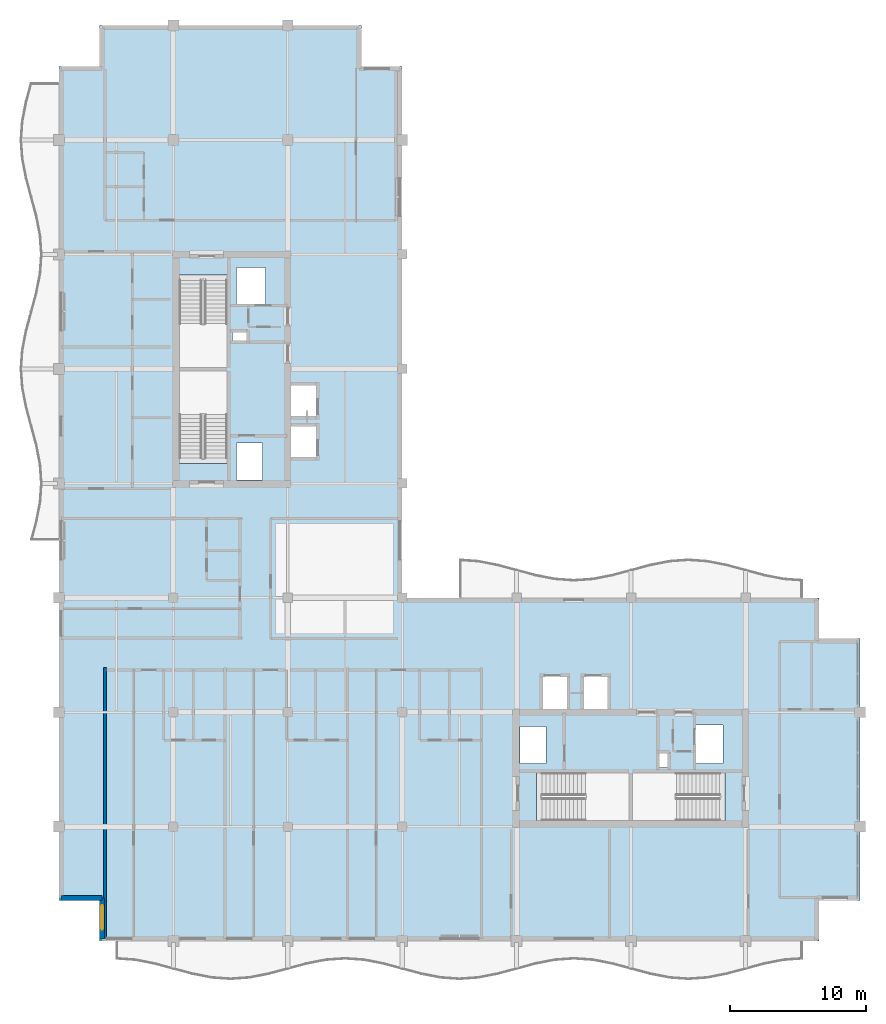
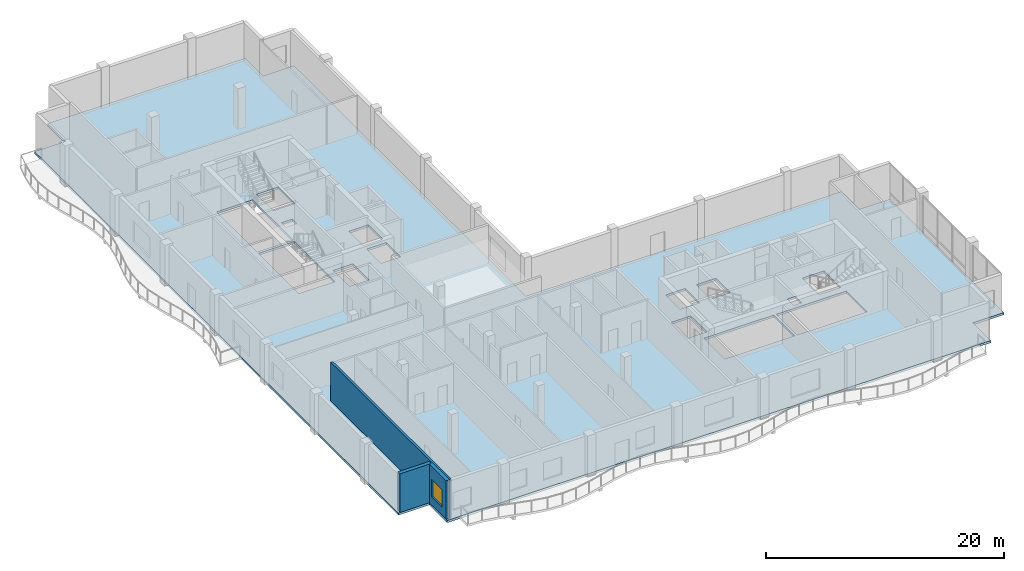
# One storey, part 6 of 16: 3 walls, 1 slab, 1 window, 1 opening.
"""IFC4 building model written with IfcOpenShell, lengths in metres."""

from ifc_helpers import new_model, si_unit, direction, frame, frame_2d, origin, place, context, subcontext, project, spatial, polyline, rectangle, outline, extrude, material, layer, layer_set, type_object, element, fill, save


model = new_model("IFC4")

# Units and contexts
model_context = context("Model", 3, precision=1e-05, world=origin(), true_north=direction((0.0, 1.0)))
body_context = subcontext(model_context, "Body", "Model", "MODEL_VIEW")
ifc_project = project(units=[si_unit("LENGTHUNIT", "METRE"), si_unit("AREAUNIT", "SQUARE_METRE"), si_unit("VOLUMEUNIT", "CUBIC_METRE"), si_unit("PLANEANGLEUNIT", "RADIAN"), si_unit("MASSUNIT", "GRAM", prefix="KILO")], contexts=[model_context])

# Site, building, storey
site_placement = place(None, origin())
site = spatial("IfcSite", under=ifc_project, at=site_placement, CompositionType="ELEMENT")
building_placement = place(site_placement, origin())
building = spatial("IfcBuilding", under=site, at=building_placement, Name="Koriwani Terraces Tower", CompositionType="ELEMENT")
storey_placement = place(building_placement, frame((0.0, 0.0, 355.39990234375)))
storey = spatial("IfcBuildingStorey", under=building, at=storey_placement, Name="L88", CompositionType="ELEMENT", Elevation=355.39990234375)

# Slab
ifc_material_1 = material(Name="Concrete C40/50", Category="concrete")
ifc_layer_1 = layer(ifc_material_1, 0.22998046875, Name="Concrete C40/50")
ifc_layer_set_1 = layer_set([ifc_layer_1], Name="Concrete C40/50")
slab_type = type_object("IfcSlabType", Name="SLAB_RES_TYP_230", PredefinedType="FLOOR", material=ifc_layer_set_1)
slab_placement = place(storey_placement, frame((0.0, 0.0, -0.22998046875)))
element("IfcSlab", 1, at=slab_placement, inside=storey, type_object=slab_type, Name="L88 Structural Floor Slab", PredefinedType="FLOOR", context=body_context, shape_type="SweptSolid", body=[
    extrude(outline(polyline([(11.39990234375, 8.39990234375), (64.199951171875, 8.39990234375), (64.199951171875, 11.39990234375), (67.199951171875, 11.39990234375), (67.199951171875, 30.60009765625), (64.199951171875, 30.60009765625), (64.199951171875, 33.60009765625), (33.60009765625, 33.60009765625), (33.60009765625, 72.60009765625), (30.60009765625, 72.60009765625), (30.60009765625, 75.60009765625), (11.39990234375, 75.60009765625), (11.39990234375, 72.60009765625), (8.39990234375, 72.60009765625), (8.39990234375, 11.39990234375), (11.39990234375, 11.39990234375), (11.39990234375, 8.39990234375)]), holes=[polyline([(17.25, 43.4599609375), (20.75, 43.4599609375), (20.75, 50.25), (17.25, 50.25), (17.25, 43.4599609375)]), polyline([(17.25, 50.5), (20.75, 50.5), (20.75, 57.2900390625), (17.25, 57.2900390625), (17.25, 50.5)]), polyline([(43.4599609375, 17.25), (50.25, 17.25), (50.25, 20.75), (43.4599609375, 20.75), (43.4599609375, 17.25)]), polyline([(50.5, 17.25), (57.2900390625, 17.25), (57.2900390625, 20.75), (50.5, 20.75), (50.5, 17.25)]), polyline([(25.449951171875, 43.85009765625), (27.35009765625, 43.85009765625), (27.35009765625, 46.25), (25.449951171875, 46.25), (25.449951171875, 43.85009765625)]), polyline([(25.449951171875, 46.85009765625), (27.35009765625, 46.85009765625), (27.35009765625, 49.25), (25.449951171875, 49.25), (25.449951171875, 46.85009765625)]), polyline([(43.85009765625, 25.449951171875), (45.75, 25.449951171875), (45.75, 27.85009765625), (43.85009765625, 27.85009765625), (43.85009765625, 25.449951171875)]), polyline([(46.85009765625, 25.449951171875), (48.75, 25.449951171875), (48.75, 27.85009765625), (46.85009765625, 27.85009765625), (46.85009765625, 25.449951171875)]), polyline([(21.449951171875, 55.050048828125), (23.550048828125, 55.050048828125), (23.550048828125, 57.85009765625), (21.449951171875, 57.85009765625), (21.449951171875, 55.050048828125)]), polyline([(55.050048828125, 21.449951171875), (57.14990234375, 21.449951171875), (57.14990234375, 24.25), (55.050048828125, 24.25), (55.050048828125, 21.449951171875)]), polyline([(21.449951171875, 42.25), (23.35009765625, 42.25), (23.35009765625, 44.949951171875), (21.449951171875, 44.949951171875), (21.449951171875, 42.25)]), polyline([(42.25, 21.449951171875), (44.14990234375, 21.449951171875), (44.14990234375, 24.14990234375), (42.25, 24.14990234375), (42.25, 21.449951171875)]), polyline([(21.14990234375, 52.419921875), (22.219970703125, 52.419921875), (22.219970703125, 53.179931640625), (21.14990234375, 53.179931640625), (21.14990234375, 52.419921875)]), polyline([(52.419921875, 21.14990234375), (53.179931640625, 21.14990234375), (53.179931640625, 22.219970703125), (52.419921875, 22.219970703125), (52.419921875, 21.14990234375)])]), origin(), (0.0, 0.0, 1.0), 0.22998046875),
])

# Wall
ifc_material_2 = material(Name="Autoclaved Cellular Concrete Blockwork", Category="masonry")
ifc_layer_2 = layer(ifc_material_2, 0.219970703125, Name="Autoclaved Cellular Concrete Blockwork")
ifc_layer_set_2 = layer_set([ifc_layer_2], Name="Autoclaved Cellular Concrete Blockwork")
wall_type_1 = type_object("IfcWallType", Name="WALL_DEMISING_220", PredefinedType="PARTITIONING", material=ifc_layer_set_2)
wall_1_placement = place(storey_placement, frame((11.800048828125, 8.60009765625, 0.0), z_axis=(0.0, 0.0, 1.0), x_axis=(0.0, 1.0, 0.0)))
element("IfcWall", 2, at=wall_1_placement, inside=storey, type_object=wall_type_1, Name="L88 Interior Wall WRDEM-L88-SW-0", PredefinedType="PARTITIONING", context=body_context, shape_type="SweptSolid", body=[
    extrude(rectangle(XDim=19.8798828125, YDim=0.219970703125, at=frame_2d((9.93994140625, 0.0))), origin(), (0.0, 0.0, 1.0), 3.97021484375),
])

# Wall, opening, window
ifc_material_3 = material(Name="Concrete C50/60", Category="concrete")
ifc_layer_3 = layer(ifc_material_3, 0.35009765625, Name="Concrete C50/60")
ifc_layer_set_3 = layer_set([ifc_layer_3], Name="Concrete C50/60")
wall_type_2 = type_object("IfcWallType", Name="WALL_EXT_BRUTALIST_350", PredefinedType="STANDARD", material=ifc_layer_set_3)
wall_2_placement = place(storey_placement, frame((11.574951171875, 8.574951171875, 0.0), z_axis=(0.0, 0.0, 1.0), x_axis=(0.0, 1.0, 0.0)))
wall_2 = element("IfcWall", 3, at=wall_2_placement, inside=storey, type_object=wall_type_2, Name="L88 Fair-Faced Brutalist Exterior Wall (N0)", PredefinedType="STANDARD", context=body_context, shape_type="SweptSolid", body=[
    extrude(rectangle(XDim=3.0, YDim=0.35009765625, at=frame_2d((1.5, 0.0))), origin(), (0.0, 0.0, 1.0), 3.97021484375),
])
opening_placement = place(wall_2_placement, frame((0.677490234375, 0.0, 0.85009765625)))
opening = element("IfcOpeningElement", 4, at=opening_placement, cuts=wall_2, Name="Opening W-04", PredefinedType="OPENING", context=body_context, shape_type="SweptSolid", body=[
    extrude(rectangle(XDim=1.800048828125, YDim=1.800048828125, at=frame_2d((0.89990234375, 0.89990234375))), frame((0.0, 0.18505859375, 0.0), z_axis=(0.0, -1.0, 0.0), x_axis=(1.0, 0.0, 0.0)), (0.0, 0.0, 1.0), 0.3701171875),
])
ifc_material_4 = material(Name="Tempered Laminated Low-E Glass", Category="glass")
window_type = type_object("IfcWindowType", Name="WIN_RES_BED_1800X1800", PartitioningType="DOUBLE_PANEL_VERTICAL", PredefinedType="WINDOW", material=ifc_material_4)
window_placement = place(opening_placement, origin())
window = element("IfcWindow", 5, at=window_placement, inside=storey, type_object=window_type, Name="L88 Exterior Window (N0-R34)", OverallHeight=1.800048828125, OverallWidth=1.800048828125, PartitioningType="SINGLE_PANEL", PredefinedType="WINDOW", context=body_context, shape_type="SweptSolid", body=[
    extrude(rectangle(XDim=1.800048828125, YDim=1.800048828125, at=frame_2d((0.89990234375, 0.89990234375))), frame((0.0, 0.030029296875, 0.0), z_axis=(0.0, -1.0, 0.0), x_axis=(1.0, 0.0, 0.0)), (0.0, 0.0, 1.0), 0.06005859375),
])
fill(opening, window)

# Wall
wall_3_placement = place(storey_placement, frame((11.574951171875, 11.574951171875, 0.0), z_axis=(0.0, 0.0, 1.0), x_axis=(-1.0, 0.0, 0.0)))
element("IfcWall", 6, at=wall_3_placement, inside=storey, type_object=wall_type_2, Name="L88 Fair-Faced Brutalist Exterior Wall (N1)", PredefinedType="STANDARD", context=body_context, shape_type="SweptSolid", body=[
    extrude(rectangle(XDim=3.0, YDim=0.35009765625, at=frame_2d((1.5, 0.0))), origin(), (0.0, 0.0, 1.0), 3.97021484375),
])

save(model, "model.ifc")
